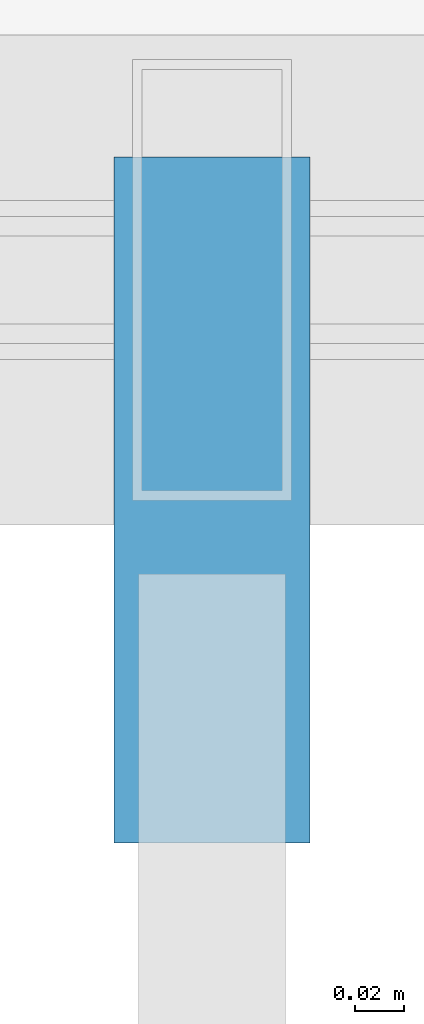
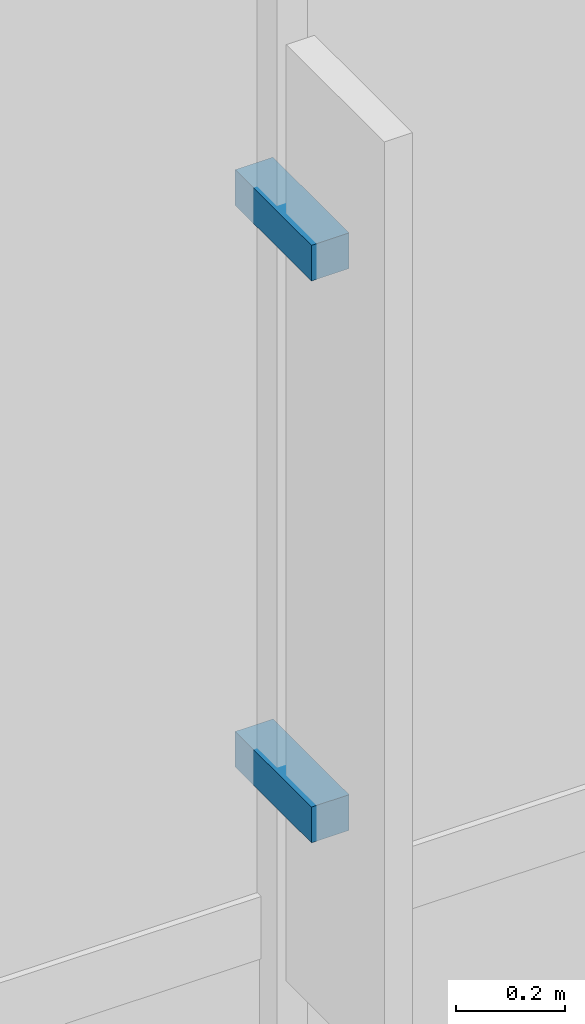
# One storey, part 97 of 106: 2 discrete accessories.
"""IFC4 building model written with IfcOpenShell, lengths in metres."""

from ifc_helpers import new_model, si_unit, direction, frame, origin, origin_2d, place, context, subcontext, project, spatial, rectangle, extrude, material, type_object, element, save


model = new_model("IFC4")

# Units and contexts
model_context = context("Model", 3, precision=1e-05, world=origin(), true_north=direction((0.0, 1.0)))
body_context = subcontext(model_context, "Body", "Model", "MODEL_VIEW")
ifc_project = project(units=[si_unit("LENGTHUNIT", "METRE"), si_unit("AREAUNIT", "SQUARE_METRE"), si_unit("VOLUMEUNIT", "CUBIC_METRE"), si_unit("PLANEANGLEUNIT", "RADIAN"), si_unit("MASSUNIT", "GRAM", prefix="KILO")], contexts=[model_context])

# Site, building, storey
site_placement = place(None, origin())
site = spatial("IfcSite", under=ifc_project, at=site_placement, CompositionType="ELEMENT")
building_placement = place(site_placement, origin())
building = spatial("IfcBuilding", under=site, at=building_placement, Name="Kazanami Central Library", CompositionType="ELEMENT")
storey_placement = place(building_placement, frame((0.0, 0.0, 12.800048828125)))
storey = spatial("IfcBuildingStorey", under=building, at=storey_placement, Name="L04", CompositionType="ELEMENT", Elevation=12.800048828125)

# Discrete accessories
ifc_material = material(Name="Stainless Steel SUS304", Category="steel")
discrete_accessory_type = type_object("IfcDiscreteAccessoryType", Name="ACC-BRK-1", PredefinedType="BRACKET", material=ifc_material)
for number, where, z_axis, x_axis, name in (
    (1, (129.1083984375, 43.110107421875, 1.092529296875), (0.0, 0.0, 1.0), (1.0, 0.0, 0.0), "Solar Fin Outrigger Bracket L04 S-G-14.1.1"),
    (2, (129.1083984375, 43.110107421875, 2.352294921875), (0.0, 0.0, 1.0), (1.0, 0.0, 0.0), "Solar Fin Outrigger Bracket L04 S-G-14.1.2"),
):
    element("IfcDiscreteAccessory", number, at=place(storey_placement, frame(where, z_axis=z_axis, x_axis=x_axis)), inside=storey, type_object=discrete_accessory_type, Name=name, PredefinedType="BRACKET", context=body_context, shape_type="SweptSolid", body=[
        extrude(rectangle(XDim=0.080078125, YDim=0.280029296875, at=origin_2d()), origin(), (0.0, 0.0, 1.0), 0.080078125),
    ])

save(model, "model.ifc")
